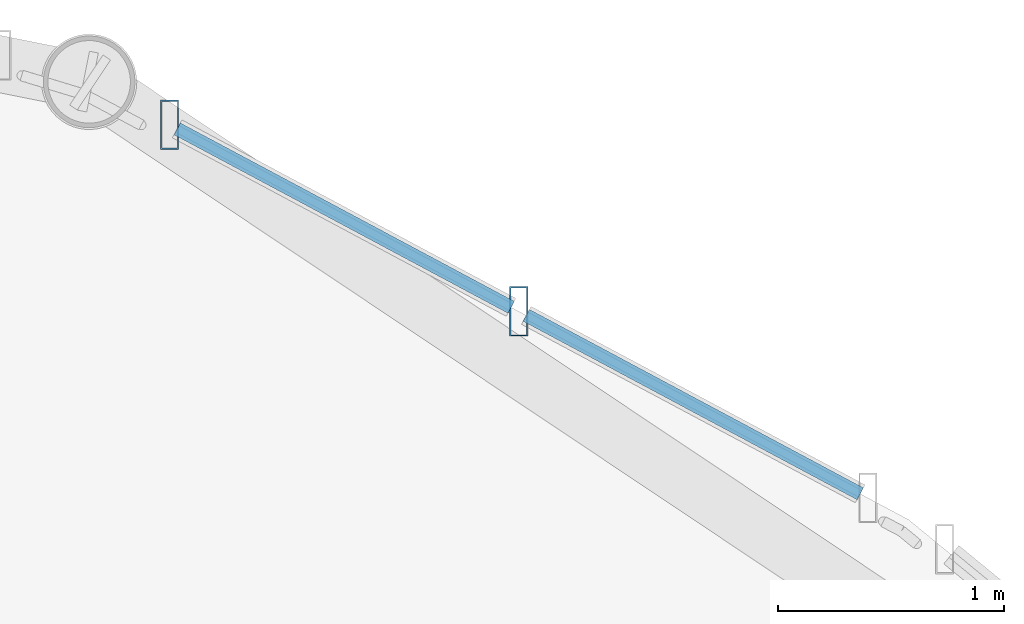
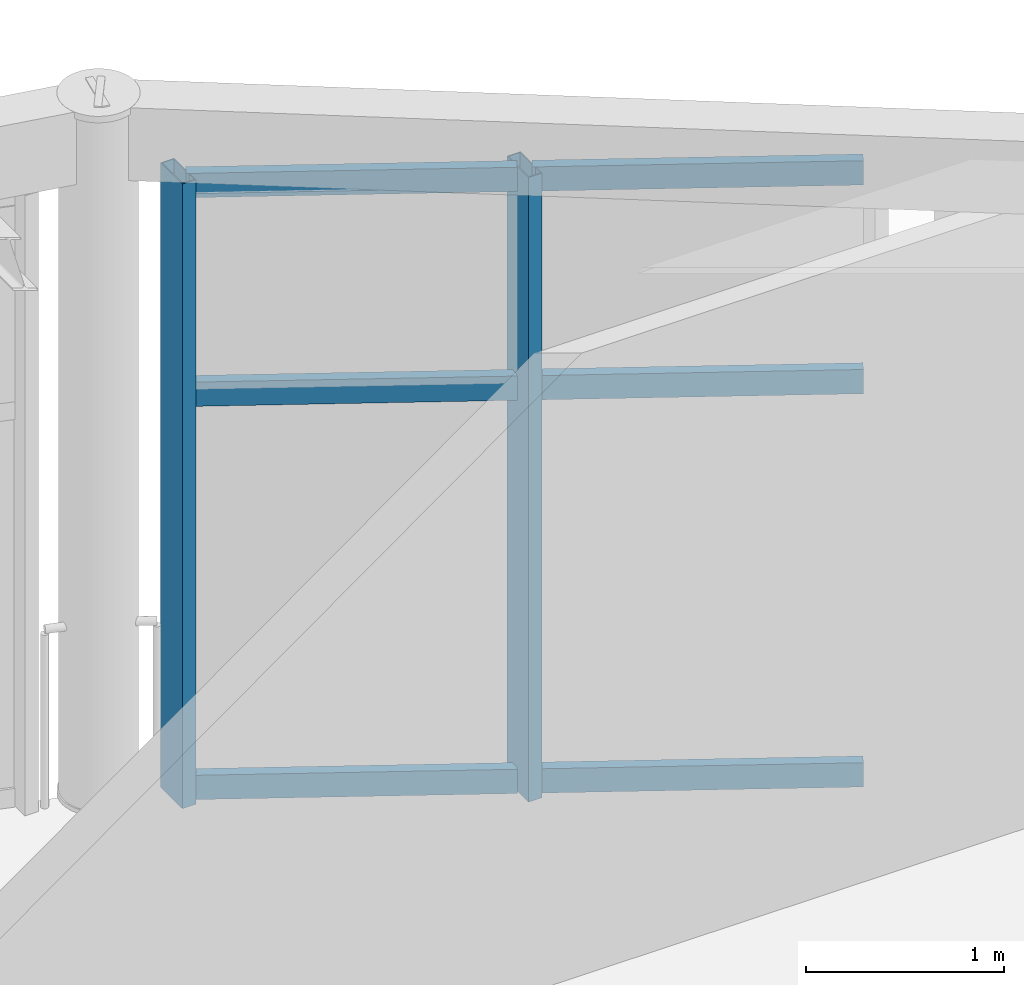
# One storey, part 51 of 105: 8 members, 1 element without a shape of its own.
"""IFC4 building model written with IfcOpenShell, lengths in metres."""

from ifc_helpers import new_model, si_unit, direction, frame, origin, origin_2d, place, context, subcontext, project, spatial, hollow_rectangle, extrude, material, layer, layer_set, material_profile, profile_set, type_object, element, aggregate, save


model = new_model("IFC4")

# Units and contexts
model_context = context("Model", 3, precision=1e-05, world=origin(), true_north=direction((0.0, 1.0)))
body_context = subcontext(model_context, "Body", "Model", "MODEL_VIEW")
ifc_project = project(units=[si_unit("LENGTHUNIT", "METRE"), si_unit("AREAUNIT", "SQUARE_METRE"), si_unit("VOLUMEUNIT", "CUBIC_METRE"), si_unit("PLANEANGLEUNIT", "RADIAN"), si_unit("MASSUNIT", "GRAM", prefix="KILO")], contexts=[model_context])

# Site, building, storey
site_placement = place(None, origin())
site = spatial("IfcSite", under=ifc_project, at=site_placement, CompositionType="ELEMENT")
building_placement = place(site_placement, origin())
building = spatial("IfcBuilding", under=site, at=building_placement, Name="Marlcrest Central Station", CompositionType="ELEMENT")
storey_placement = place(building_placement, frame((0.0, 0.0, 15.0)))
storey = spatial("IfcBuildingStorey", under=building, at=storey_placement, Name="L03", CompositionType="ELEMENT", Elevation=15.0)

# Curtain wall, members
ifc_material_1 = material(Name="Anodised aluminium and hurricane laminated glass", Category="aluminium")
ifc_layer = layer(ifc_material_1, 0.219970703125, Name="CW-U1")
ifc_layer_set = layer_set([ifc_layer], Name="Anodised aluminium and hurricane laminated glass")
curtain_wall_type = type_object("IfcCurtainWallType", Name="CW-U1", PredefinedType="USERDEFINED", material=ifc_layer_set)
curtain_wall_placement = place(storey_placement, origin())
curtain_wall = element("IfcCurtainWall", 1, at=curtain_wall_placement, inside=storey, type_object=curtain_wall_type, Name="cw-L03-0093", ObjectType="UNITISED_CURTAIN_WALL", PredefinedType="USERDEFINED")
ifc_material_2 = material(Name="Anodised aluminium 6063-T6", Category="aluminium")
ifc_material_profile_1 = material_profile(ifc_material_2, hollow_rectangle(XDim=0.080078125, YDim=0.219970703125, WallThickness=0.006103515625, at=origin_2d()), Name="AA-RHS 220x80x6")
ifc_profile_set_1 = profile_set([ifc_material_profile_1], Name="Anodised aluminium 6063-T6")
member_type_1 = type_object("IfcMemberType", Name="ML-01", PredefinedType="MULLION", material=ifc_profile_set_1)
member_1_placement = place(storey_placement, frame((116.392333984375, 129.710693359375, -0.030029296875), z_axis=(0.0, 0.0, 1.0), x_axis=(1.0, 0.0, 0.0)))
member_1 = element("IfcMember", 2, at=member_1_placement, type_object=member_type_1, Name="cw-L03-0093-ml-0", PredefinedType="MULLION", context=body_context, shape_type="SweptSolid", body=[
    extrude(hollow_rectangle(XDim=0.080078125, YDim=0.219970703125, WallThickness=0.006103515625, at=origin_2d()), origin(), (0.0, 0.0, 1.0), 3.860107421875),
])
member_2_placement = place(storey_placement, frame((117.93896484375, 128.88427734375, -0.030029296875), z_axis=(0.0, 0.0, 1.0), x_axis=(1.0, 0.0, 0.0)))
member_2 = element("IfcMember", 3, at=member_2_placement, type_object=member_type_1, Name="cw-L03-0093-ml-1", PredefinedType="MULLION", context=body_context, shape_type="SweptSolid", body=[
    extrude(hollow_rectangle(XDim=0.080078125, YDim=0.219970703125, WallThickness=0.006103515625, at=origin_2d()), origin(), (0.0, 0.0, 1.0), 3.860107421875),
])
ifc_material_profile_2 = material_profile(ifc_material_2, hollow_rectangle(XDim=0.06005859375, YDim=0.14990234375, WallThickness=0.00390625, at=origin_2d()), Name="AA-RHS 150x60x4")
ifc_profile_set_2 = profile_set([ifc_material_profile_2], Name="Anodised aluminium 6063-T6")
member_type_2 = type_object("IfcMemberType", Name="TR-01", PredefinedType="USERDEFINED", material=ifc_profile_set_2)
member_3_placement = place(storey_placement, frame((116.42578125, 129.692626953125, 0.0400390625), z_axis=(0.882022398889, -0.471207478568, 0.0), x_axis=(0.471207478568, 0.882022398889, 0.0)))
member_3 = element("IfcMember", 4, at=member_3_placement, type_object=member_type_2, Name="cw-L03-0093-tr-0-sill", ObjectType="TRANSOM", PredefinedType="USERDEFINED", context=body_context, shape_type="SweptSolid", body=[
    extrude(hollow_rectangle(XDim=0.06005859375, YDim=0.14990234375, WallThickness=0.00390625, at=origin_2d()), origin(), (0.0, 0.0, 1.0), 1.677734375),
])
member_4_placement = place(storey_placement, frame((116.42578125, 129.692626953125, 2.469970703125), z_axis=(0.882022398889, -0.471207478568, 0.0), x_axis=(0.471207478568, 0.882022398889, 0.0)))
member_4 = element("IfcMember", 5, at=member_4_placement, type_object=member_type_2, Name="cw-L03-0093-tr-0-mid", ObjectType="TRANSOM", PredefinedType="USERDEFINED", context=body_context, shape_type="SweptSolid", body=[
    extrude(hollow_rectangle(XDim=0.06005859375, YDim=0.14990234375, WallThickness=0.00390625, at=origin_2d()), origin(), (0.0, 0.0, 1.0), 1.677734375),
])
member_5_placement = place(storey_placement, frame((116.42578125, 129.692626953125, 3.760009765625), z_axis=(0.882022398889, -0.471207478568, 0.0), x_axis=(0.471207478568, 0.882022398889, 0.0)))
member_5 = element("IfcMember", 6, at=member_5_placement, type_object=member_type_2, Name="cw-L03-0093-tr-0-head", ObjectType="TRANSOM", PredefinedType="USERDEFINED", context=body_context, shape_type="SweptSolid", body=[
    extrude(hollow_rectangle(XDim=0.06005859375, YDim=0.14990234375, WallThickness=0.00390625, at=origin_2d()), origin(), (0.0, 0.0, 1.0), 1.677734375),
])
member_6_placement = place(storey_placement, frame((117.972412109375, 128.866455078125, 0.0400390625), z_axis=(0.881990080976, -0.47126796736, 0.0), x_axis=(0.47126796736, 0.881990080976, 0.0)))
member_6 = element("IfcMember", 7, at=member_6_placement, type_object=member_type_2, Name="cw-L03-0093-tr-1-sill", ObjectType="TRANSOM", PredefinedType="USERDEFINED", context=body_context, shape_type="SweptSolid", body=[
    extrude(hollow_rectangle(XDim=0.06005859375, YDim=0.14990234375, WallThickness=0.00390625, at=origin_2d()), origin(), (0.0, 0.0, 1.0), 1.677490234375),
])
member_7_placement = place(storey_placement, frame((117.972412109375, 128.866455078125, 2.469970703125), z_axis=(0.881990080976, -0.47126796736, 0.0), x_axis=(0.47126796736, 0.881990080976, 0.0)))
member_7 = element("IfcMember", 8, at=member_7_placement, type_object=member_type_2, Name="cw-L03-0093-tr-1-mid", ObjectType="TRANSOM", PredefinedType="USERDEFINED", context=body_context, shape_type="SweptSolid", body=[
    extrude(hollow_rectangle(XDim=0.06005859375, YDim=0.14990234375, WallThickness=0.00390625, at=origin_2d()), origin(), (0.0, 0.0, 1.0), 1.677490234375),
])
member_8_placement = place(storey_placement, frame((117.972412109375, 128.866455078125, 3.760009765625), z_axis=(0.881990080976, -0.47126796736, 0.0), x_axis=(0.47126796736, 0.881990080976, 0.0)))
member_8 = element("IfcMember", 9, at=member_8_placement, type_object=member_type_2, Name="cw-L03-0093-tr-1-head", ObjectType="TRANSOM", PredefinedType="USERDEFINED", context=body_context, shape_type="SweptSolid", body=[
    extrude(hollow_rectangle(XDim=0.06005859375, YDim=0.14990234375, WallThickness=0.00390625, at=origin_2d()), origin(), (0.0, 0.0, 1.0), 1.677490234375),
])
aggregate(curtain_wall, [member_1, member_2, member_3, member_4, member_5, member_6, member_7, member_8])

save(model, "model.ifc")
